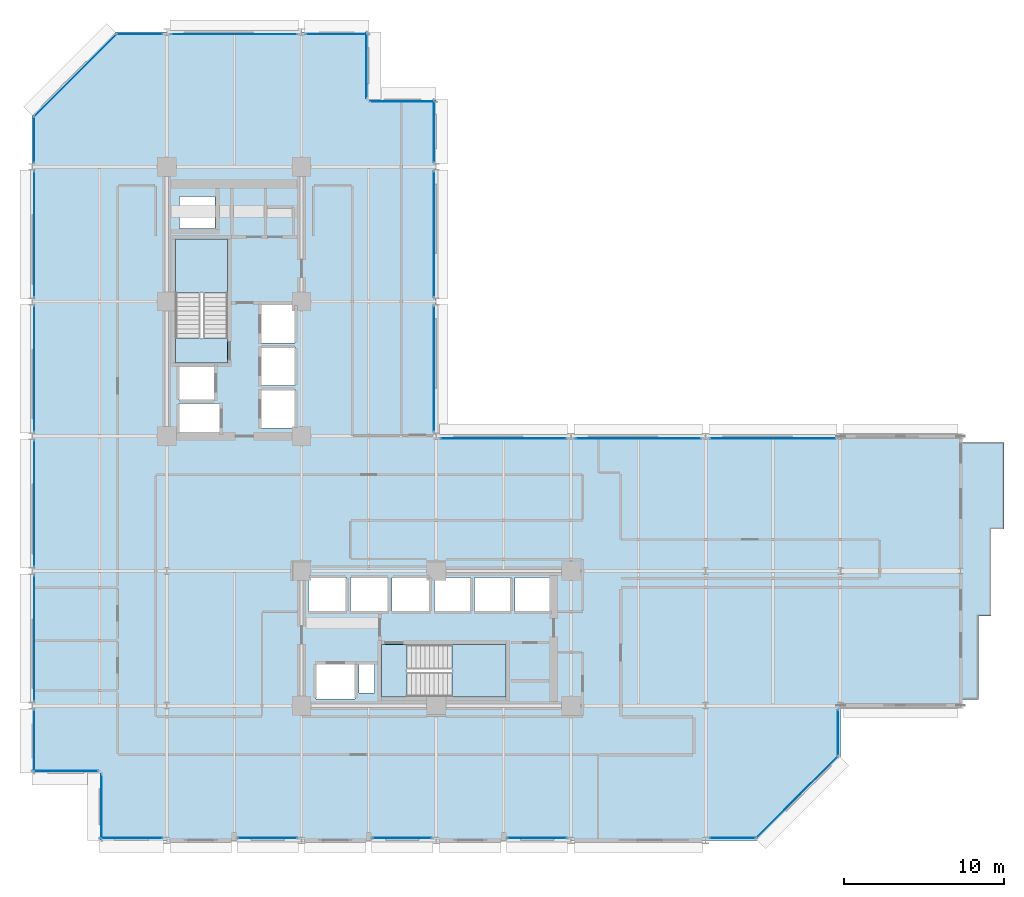
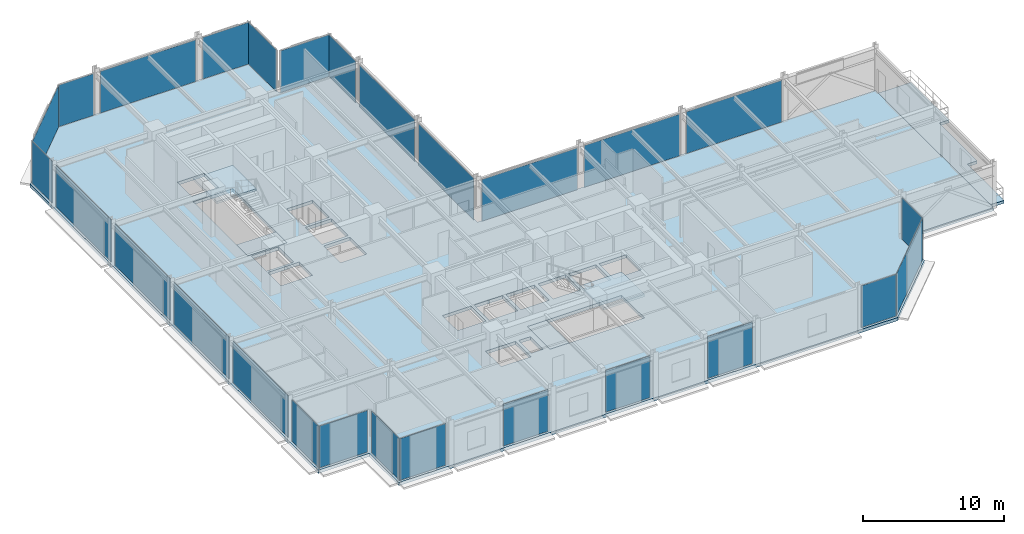
# One storey, part 31 of 40: 27 plates, 6 slabs, 29 elements without a shape of their own.
"""IFC4 building model written with IfcOpenShell, lengths in metres."""

from ifc_helpers import new_model, si_unit, direction, frame, origin, origin_2d, place, context, subcontext, project, spatial, polyline, rectangle, outline, extrude, material, layer, layer_set, type_object, element, aggregate, save


model = new_model("IFC4")

# Units and contexts
model_context = context("Model", 3, precision=1e-05, world=origin(), true_north=direction((0.0, 1.0)))
body_context = subcontext(model_context, "Body", "Model", "MODEL_VIEW")
ifc_project = project(units=[si_unit("LENGTHUNIT", "METRE"), si_unit("AREAUNIT", "SQUARE_METRE"), si_unit("VOLUMEUNIT", "CUBIC_METRE"), si_unit("PLANEANGLEUNIT", "RADIAN"), si_unit("MASSUNIT", "GRAM", prefix="KILO")], contexts=[model_context])

# Site, building, storey
site_placement = place(None, origin())
site = spatial("IfcSite", under=ifc_project, at=site_placement, CompositionType="ELEMENT")
building_placement = place(site_placement, origin())
building = spatial("IfcBuilding", under=site, at=building_placement, Name="Nerrivon Quay Data Exchange", CompositionType="ELEMENT")
storey_placement = place(building_placement, frame((0.0, 0.0, 109.0)))
storey = spatial("IfcBuildingStorey", under=building, at=storey_placement, Name="L25", CompositionType="ELEMENT", Elevation=109.0)

# Curtain wall, plate
ifc_material_1 = material(Name="Anodised aluminium 6063-T6", Category="aluminium")
ifc_layer_1 = layer(ifc_material_1, 0.2099609375)
ifc_layer_set_1 = layer_set([ifc_layer_1], Name="Anodised aluminium 6063-T6")
curtain_wall_type = type_object("IfcCurtainWallType", Name="CW-SYS-02", PredefinedType="NOTDEFINED", material=ifc_layer_set_1)
curtain_wall_1_placement = place(storey_placement, origin())
curtain_wall_1 = element("IfcCurtainWall", 1, at=curtain_wall_1_placement, inside=storey, type_object=curtain_wall_type, Name="L25 Unitised Curtain Wall 4", PredefinedType="NOTDEFINED")
ifc_material_2 = material(Name="Double-glazed low-E solar control glass", Category="glass")
ifc_layer_2 = layer(ifc_material_2, 0.028076171875)
ifc_layer_set_2 = layer_set([ifc_layer_2], Name="Double-glazed low-E solar control glass")
plate_type = type_object("IfcPlateType", Name="CWP-GLZ-28", PredefinedType="CURTAIN_PANEL", material=ifc_layer_set_2)
plate_1_placement = place(storey_placement, frame((50.260009765625, 6.699951171875, 0.06494140625), z_axis=(0.0, 0.0, 1.0), x_axis=(0.0, -1.0, 0.0)))
plate_1 = element("IfcPlate", 2, at=plate_1_placement, type_object=plate_type, Name="CW02 panel 1.1", PredefinedType="CURTAIN_PANEL", context=body_context, shape_type="SweptSolid", body=[
    extrude(rectangle(XDim=2.85009765625, YDim=0.028076171875, at=origin_2d()), origin(), (0.0, 0.0, 1.0), 3.6201171875),
])
aggregate(curtain_wall_1, [plate_1])

curtain_wall_2_placement = place(storey_placement, origin())
curtain_wall_2 = element("IfcCurtainWall", 3, at=curtain_wall_2_placement, inside=storey, type_object=curtain_wall_type, Name="L25 Unitised Curtain Wall 5", PredefinedType="NOTDEFINED")
plate_2_placement = place(storey_placement, frame((47.700927734375, 2.698974609375, 0.06494140625), z_axis=(0.0, 0.0, 1.0), x_axis=(-0.707106781187, -0.707106781187, 0.0)))
plate_2 = element("IfcPlate", 4, at=plate_2_placement, type_object=plate_type, Name="CW02 panel 1.1", PredefinedType="CURTAIN_PANEL", context=body_context, shape_type="SweptSolid", body=[
    extrude(rectangle(XDim=7.203857421875, YDim=0.028076171875, at=origin_2d()), origin(), (0.0, 0.0, 1.0), 3.6201171875),
])
aggregate(curtain_wall_2, [plate_2])

curtain_wall_3_placement = place(storey_placement, origin())
curtain_wall_3 = element("IfcCurtainWall", 5, at=curtain_wall_3_placement, inside=storey, type_object=curtain_wall_type, Name="L25 Unitised Curtain Wall 6", PredefinedType="NOTDEFINED")
plate_3_placement = place(storey_placement, frame((43.699951171875, 0.139892578125, 0.06494140625), z_axis=(0.0, 0.0, 1.0), x_axis=(-1.0, 0.0, 0.0)))
plate_3 = element("IfcPlate", 6, at=plate_3_placement, type_object=plate_type, Name="CW02 panel 1.1", PredefinedType="CURTAIN_PANEL", context=body_context, shape_type="SweptSolid", body=[
    extrude(rectangle(XDim=2.85009765625, YDim=0.028076171875, at=origin_2d()), origin(), (0.0, 0.0, 1.0), 3.6201171875),
])
aggregate(curtain_wall_3, [plate_3])

curtain_wall_4_placement = place(storey_placement, origin())
curtain_wall_4 = element("IfcCurtainWall", 7, at=curtain_wall_4_placement, inside=storey, type_object=curtain_wall_type, Name="L25 Unitised Curtain Wall 8", PredefinedType="NOTDEFINED")
plate_4_placement = place(storey_placement, frame((31.487548828125, 0.139892578125, 0.06494140625), z_axis=(0.0, 0.0, 1.0), x_axis=(-1.0, 0.0, 0.0)))
plate_4 = element("IfcPlate", 8, at=plate_4_placement, type_object=plate_type, Name="CW02 panel 1.1", PredefinedType="CURTAIN_PANEL", context=body_context, shape_type="SweptSolid", body=[
    extrude(rectangle(XDim=3.675048828125, YDim=0.028076171875, at=origin_2d()), origin(), (0.0, 0.0, 1.0), 3.6201171875),
])
aggregate(curtain_wall_4, [plate_4])

curtain_wall_5_placement = place(storey_placement, origin())
curtain_wall_5 = element("IfcCurtainWall", 9, at=curtain_wall_5_placement, inside=storey, type_object=curtain_wall_type, Name="L25 Unitised Curtain Wall 10", PredefinedType="NOTDEFINED")
plate_5_placement = place(storey_placement, frame((23.08740234375, 0.139892578125, 0.06494140625), z_axis=(0.0, 0.0, 1.0), x_axis=(-1.0, 0.0, 0.0)))
plate_5 = element("IfcPlate", 10, at=plate_5_placement, type_object=plate_type, Name="CW02 panel 1.1", PredefinedType="CURTAIN_PANEL", context=body_context, shape_type="SweptSolid", body=[
    extrude(rectangle(XDim=3.675048828125, YDim=0.028076171875, at=origin_2d()), origin(), (0.0, 0.0, 1.0), 3.6201171875),
])
aggregate(curtain_wall_5, [plate_5])

curtain_wall_6_placement = place(storey_placement, origin())
curtain_wall_6 = element("IfcCurtainWall", 11, at=curtain_wall_6_placement, inside=storey, type_object=curtain_wall_type, Name="L25 Unitised Curtain Wall 12", PredefinedType="NOTDEFINED")
plate_6_placement = place(storey_placement, frame((14.6875, 0.139892578125, 0.06494140625), z_axis=(0.0, 0.0, 1.0), x_axis=(-1.0, 0.0, 0.0)))
plate_6 = element("IfcPlate", 12, at=plate_6_placement, type_object=plate_type, Name="CW02 panel 1.1", PredefinedType="CURTAIN_PANEL", context=body_context, shape_type="SweptSolid", body=[
    extrude(rectangle(XDim=3.675048828125, YDim=0.028076171875, at=origin_2d()), origin(), (0.0, 0.0, 1.0), 3.6201171875),
])
aggregate(curtain_wall_6, [plate_6])

curtain_wall_7_placement = place(storey_placement, origin())
curtain_wall_7 = element("IfcCurtainWall", 13, at=curtain_wall_7_placement, inside=storey, type_object=curtain_wall_type, Name="L25 Unitised Curtain Wall 14", PredefinedType="NOTDEFINED")
plate_7_placement = place(storey_placement, frame((6.199951171875, 0.139892578125, 0.06494140625), z_axis=(0.0, 0.0, 1.0), x_axis=(-1.0, 0.0, 0.0)))
plate_7 = element("IfcPlate", 14, at=plate_7_placement, type_object=plate_type, Name="CW02 panel 1.1", PredefinedType="CURTAIN_PANEL", context=body_context, shape_type="SweptSolid", body=[
    extrude(rectangle(XDim=3.85009765625, YDim=0.028076171875, at=origin_2d()), origin(), (0.0, 0.0, 1.0), 3.6201171875),
])
aggregate(curtain_wall_7, [plate_7])

curtain_wall_8_placement = place(storey_placement, origin())
curtain_wall_8 = element("IfcCurtainWall", 15, at=curtain_wall_8_placement, inside=storey, type_object=curtain_wall_type, Name="L25 Unitised Curtain Wall 15", PredefinedType="NOTDEFINED")
plate_8_placement = place(storey_placement, frame((4.340087890625, 2.10009765625, 0.06494140625), z_axis=(0.0, 0.0, 1.0), x_axis=(0.0, 1.0, 0.0)))
plate_8 = element("IfcPlate", 16, at=plate_8_placement, type_object=plate_type, Name="CW02 panel 1.1", PredefinedType="CURTAIN_PANEL", context=body_context, shape_type="SweptSolid", body=[
    extrude(rectangle(XDim=4.050048828125, YDim=0.028076171875, at=origin_2d()), origin(), (0.0, 0.0, 1.0), 3.6201171875),
])
aggregate(curtain_wall_8, [plate_8])

curtain_wall_9_placement = place(storey_placement, origin())
curtain_wall_9 = element("IfcCurtainWall", 17, at=curtain_wall_9_placement, inside=storey, type_object=curtain_wall_type, Name="L25 Unitised Curtain Wall 16", PredefinedType="NOTDEFINED")
plate_9_placement = place(storey_placement, frame((2.10009765625, 4.340087890625, 0.06494140625), z_axis=(0.0, 0.0, 1.0), x_axis=(-1.0, 0.0, 0.0)))
plate_9 = element("IfcPlate", 18, at=plate_9_placement, type_object=plate_type, Name="CW02 panel 1.1", PredefinedType="CURTAIN_PANEL", context=body_context, shape_type="SweptSolid", body=[
    extrude(rectangle(XDim=4.050048828125, YDim=0.028076171875, at=origin_2d()), origin(), (0.0, 0.0, 1.0), 3.6201171875),
])
aggregate(curtain_wall_9, [plate_9])

curtain_wall_10_placement = place(storey_placement, origin())
curtain_wall_10 = element("IfcCurtainWall", 19, at=curtain_wall_10_placement, inside=storey, type_object=curtain_wall_type, Name="L25 Unitised Curtain Wall 17", PredefinedType="NOTDEFINED")
plate_10_placement = place(storey_placement, frame((0.139892578125, 6.199951171875, 0.06494140625), z_axis=(0.0, 0.0, 1.0), x_axis=(0.0, 1.0, 0.0)))
plate_10 = element("IfcPlate", 20, at=plate_10_placement, type_object=plate_type, Name="CW02 panel 1.1", PredefinedType="CURTAIN_PANEL", context=body_context, shape_type="SweptSolid", body=[
    extrude(rectangle(XDim=3.85009765625, YDim=0.028076171875, at=origin_2d()), origin(), (0.0, 0.0, 1.0), 3.6201171875),
])
aggregate(curtain_wall_10, [plate_10])

curtain_wall_11_placement = place(storey_placement, origin())
curtain_wall_11 = element("IfcCurtainWall", 21, at=curtain_wall_11_placement, inside=storey, type_object=curtain_wall_type, Name="L25 Unitised Curtain Wall 18", PredefinedType="NOTDEFINED")
plate_11_placement = place(storey_placement, frame((0.139892578125, 12.60009765625, 0.06494140625), z_axis=(0.0, 0.0, 1.0), x_axis=(0.0, 1.0, 0.0)))
plate_11 = element("IfcPlate", 22, at=plate_11_placement, type_object=plate_type, Name="CW02 panel 1.1", PredefinedType="CURTAIN_PANEL", context=body_context, shape_type="SweptSolid", body=[
    extrude(rectangle(XDim=7.85009765625, YDim=0.028076171875, at=origin_2d()), origin(), (0.0, 0.0, 1.0), 3.6201171875),
])
aggregate(curtain_wall_11, [plate_11])

curtain_wall_12_placement = place(storey_placement, origin())
curtain_wall_12 = element("IfcCurtainWall", 23, at=curtain_wall_12_placement, inside=storey, type_object=curtain_wall_type, Name="L25 Unitised Curtain Wall 19", PredefinedType="NOTDEFINED")
plate_12_placement = place(storey_placement, frame((0.139892578125, 21.0, 0.06494140625), z_axis=(0.0, 0.0, 1.0), x_axis=(0.0, 1.0, 0.0)))
plate_12 = element("IfcPlate", 24, at=plate_12_placement, type_object=plate_type, Name="CW02 panel 1.1", PredefinedType="CURTAIN_PANEL", context=body_context, shape_type="SweptSolid", body=[
    extrude(rectangle(XDim=7.85009765625, YDim=0.028076171875, at=origin_2d()), origin(), (0.0, 0.0, 1.0), 3.6201171875),
])
aggregate(curtain_wall_12, [plate_12])

curtain_wall_13_placement = place(storey_placement, origin())
curtain_wall_13 = element("IfcCurtainWall", 25, at=curtain_wall_13_placement, inside=storey, type_object=curtain_wall_type, Name="L25 Unitised Curtain Wall 20", PredefinedType="NOTDEFINED")
plate_13_placement = place(storey_placement, frame((0.139892578125, 29.39990234375, 0.06494140625), z_axis=(0.0, 0.0, 1.0), x_axis=(0.0, 1.0, 0.0)))
plate_13 = element("IfcPlate", 26, at=plate_13_placement, type_object=plate_type, Name="CW02 panel 1.1", PredefinedType="CURTAIN_PANEL", context=body_context, shape_type="SweptSolid", body=[
    extrude(rectangle(XDim=7.85009765625, YDim=0.028076171875, at=origin_2d()), origin(), (0.0, 0.0, 1.0), 3.6201171875),
])
aggregate(curtain_wall_13, [plate_13])

curtain_wall_14_placement = place(storey_placement, origin())
curtain_wall_14 = element("IfcCurtainWall", 27, at=curtain_wall_14_placement, inside=storey, type_object=curtain_wall_type, Name="L25 Unitised Curtain Wall 21", PredefinedType="NOTDEFINED")
plate_14_placement = place(storey_placement, frame((0.139892578125, 37.800048828125, 0.06494140625), z_axis=(0.0, 0.0, 1.0), x_axis=(0.0, 1.0, 0.0)))
plate_14 = element("IfcPlate", 28, at=plate_14_placement, type_object=plate_type, Name="CW02 panel 1.1", PredefinedType="CURTAIN_PANEL", context=body_context, shape_type="SweptSolid", body=[
    extrude(rectangle(XDim=7.85009765625, YDim=0.028076171875, at=origin_2d()), origin(), (0.0, 0.0, 1.0), 3.6201171875),
])
aggregate(curtain_wall_14, [plate_14])

curtain_wall_15_placement = place(storey_placement, origin())
curtain_wall_15 = element("IfcCurtainWall", 29, at=curtain_wall_15_placement, inside=storey, type_object=curtain_wall_type, Name="L25 Unitised Curtain Wall 22", PredefinedType="NOTDEFINED")
plate_15_placement = place(storey_placement, frame((0.139892578125, 43.699951171875, 0.06494140625), z_axis=(0.0, 0.0, 1.0), x_axis=(0.0, 1.0, 0.0)))
plate_15 = element("IfcPlate", 30, at=plate_15_placement, type_object=plate_type, Name="CW02 panel 1.1", PredefinedType="CURTAIN_PANEL", context=body_context, shape_type="SweptSolid", body=[
    extrude(rectangle(XDim=2.85009765625, YDim=0.028076171875, at=origin_2d()), origin(), (0.0, 0.0, 1.0), 3.6201171875),
])
aggregate(curtain_wall_15, [plate_15])

curtain_wall_16_placement = place(storey_placement, origin())
curtain_wall_16 = element("IfcCurtainWall", 31, at=curtain_wall_16_placement, inside=storey, type_object=curtain_wall_type, Name="L25 Unitised Curtain Wall 23", PredefinedType="NOTDEFINED")
plate_16_placement = place(storey_placement, frame((2.698974609375, 47.700927734375, 0.06494140625), z_axis=(0.0, 0.0, 1.0), x_axis=(0.707106781187, 0.707106781187, 0.0)))
plate_16 = element("IfcPlate", 32, at=plate_16_placement, type_object=plate_type, Name="CW02 panel 1.1", PredefinedType="CURTAIN_PANEL", context=body_context, shape_type="SweptSolid", body=[
    extrude(rectangle(XDim=7.203857421875, YDim=0.028076171875, at=origin_2d()), origin(), (0.0, 0.0, 1.0), 3.6201171875),
])
aggregate(curtain_wall_16, [plate_16])

curtain_wall_17_placement = place(storey_placement, origin())
curtain_wall_17 = element("IfcCurtainWall", 33, at=curtain_wall_17_placement, inside=storey, type_object=curtain_wall_type, Name="L25 Unitised Curtain Wall 24", PredefinedType="NOTDEFINED")
plate_17_placement = place(storey_placement, frame((6.699951171875, 50.260009765625, 0.06494140625), z_axis=(0.0, 0.0, 1.0), x_axis=(1.0, 0.0, 0.0)))
plate_17 = element("IfcPlate", 34, at=plate_17_placement, type_object=plate_type, Name="CW02 panel 1.1", PredefinedType="CURTAIN_PANEL", context=body_context, shape_type="SweptSolid", body=[
    extrude(rectangle(XDim=2.85009765625, YDim=0.028076171875, at=origin_2d()), origin(), (0.0, 0.0, 1.0), 3.6201171875),
])
aggregate(curtain_wall_17, [plate_17])

curtain_wall_18_placement = place(storey_placement, origin())
curtain_wall_18 = element("IfcCurtainWall", 35, at=curtain_wall_18_placement, inside=storey, type_object=curtain_wall_type, Name="L25 Unitised Curtain Wall 25", PredefinedType="NOTDEFINED")
plate_18_placement = place(storey_placement, frame((12.60009765625, 50.260009765625, 0.06494140625), z_axis=(0.0, 0.0, 1.0), x_axis=(1.0, 0.0, 0.0)))
plate_18 = element("IfcPlate", 36, at=plate_18_placement, type_object=plate_type, Name="CW02 panel 1.1", PredefinedType="CURTAIN_PANEL", context=body_context, shape_type="SweptSolid", body=[
    extrude(rectangle(XDim=7.85009765625, YDim=0.028076171875, at=origin_2d()), origin(), (0.0, 0.0, 1.0), 3.6201171875),
])
aggregate(curtain_wall_18, [plate_18])

curtain_wall_19_placement = place(storey_placement, origin())
curtain_wall_19 = element("IfcCurtainWall", 37, at=curtain_wall_19_placement, inside=storey, type_object=curtain_wall_type, Name="L25 Unitised Curtain Wall 26", PredefinedType="NOTDEFINED")
plate_19_placement = place(storey_placement, frame((19.0, 50.260009765625, 0.06494140625), z_axis=(0.0, 0.0, 1.0), x_axis=(1.0, 0.0, 0.0)))
plate_19 = element("IfcPlate", 38, at=plate_19_placement, type_object=plate_type, Name="CW02 panel 1.1", PredefinedType="CURTAIN_PANEL", context=body_context, shape_type="SweptSolid", body=[
    extrude(rectangle(XDim=3.85009765625, YDim=0.028076171875, at=origin_2d()), origin(), (0.0, 0.0, 1.0), 3.6201171875),
])
aggregate(curtain_wall_19, [plate_19])

curtain_wall_20_placement = place(storey_placement, origin())
curtain_wall_20 = element("IfcCurtainWall", 39, at=curtain_wall_20_placement, inside=storey, type_object=curtain_wall_type, Name="L25 Unitised Curtain Wall 27", PredefinedType="NOTDEFINED")
plate_20_placement = place(storey_placement, frame((20.860107421875, 48.300048828125, 0.06494140625), z_axis=(0.0, 0.0, 1.0), x_axis=(0.0, -1.0, 0.0)))
plate_20 = element("IfcPlate", 40, at=plate_20_placement, type_object=plate_type, Name="CW02 panel 1.1", PredefinedType="CURTAIN_PANEL", context=body_context, shape_type="SweptSolid", body=[
    extrude(rectangle(XDim=4.050048828125, YDim=0.028076171875, at=origin_2d()), origin(), (0.0, 0.0, 1.0), 3.6201171875),
])
aggregate(curtain_wall_20, [plate_20])

curtain_wall_21_placement = place(storey_placement, origin())
curtain_wall_21 = element("IfcCurtainWall", 41, at=curtain_wall_21_placement, inside=storey, type_object=curtain_wall_type, Name="L25 Unitised Curtain Wall 28", PredefinedType="NOTDEFINED")
plate_21_placement = place(storey_placement, frame((23.10009765625, 46.06005859375, 0.06494140625), z_axis=(0.0, 0.0, 1.0), x_axis=(1.0, 0.0, 0.0)))
plate_21 = element("IfcPlate", 42, at=plate_21_placement, type_object=plate_type, Name="CW02 panel 1.1", PredefinedType="CURTAIN_PANEL", context=body_context, shape_type="SweptSolid", body=[
    extrude(rectangle(XDim=4.050048828125, YDim=0.028076171875, at=origin_2d()), origin(), (0.0, 0.0, 1.0), 3.6201171875),
])
aggregate(curtain_wall_21, [plate_21])

curtain_wall_22_placement = place(storey_placement, origin())
curtain_wall_22 = element("IfcCurtainWall", 43, at=curtain_wall_22_placement, inside=storey, type_object=curtain_wall_type, Name="L25 Unitised Curtain Wall 29", PredefinedType="NOTDEFINED")
plate_22_placement = place(storey_placement, frame((25.06005859375, 44.199951171875, 0.06494140625), z_axis=(0.0, 0.0, 1.0), x_axis=(0.0, -1.0, 0.0)))
plate_22 = element("IfcPlate", 44, at=plate_22_placement, type_object=plate_type, Name="CW02 panel 1.1", PredefinedType="CURTAIN_PANEL", context=body_context, shape_type="SweptSolid", body=[
    extrude(rectangle(XDim=3.85009765625, YDim=0.028076171875, at=origin_2d()), origin(), (0.0, 0.0, 1.0), 3.6201171875),
])
aggregate(curtain_wall_22, [plate_22])

curtain_wall_23_placement = place(storey_placement, origin())
curtain_wall_23 = element("IfcCurtainWall", 45, at=curtain_wall_23_placement, inside=storey, type_object=curtain_wall_type, Name="L25 Unitised Curtain Wall 30", PredefinedType="NOTDEFINED")
plate_23_placement = place(storey_placement, frame((25.06005859375, 37.800048828125, 0.06494140625), z_axis=(0.0, 0.0, 1.0), x_axis=(0.0, -1.0, 0.0)))
plate_23 = element("IfcPlate", 46, at=plate_23_placement, type_object=plate_type, Name="CW02 panel 1.1", PredefinedType="CURTAIN_PANEL", context=body_context, shape_type="SweptSolid", body=[
    extrude(rectangle(XDim=7.85009765625, YDim=0.028076171875, at=origin_2d()), origin(), (0.0, 0.0, 1.0), 3.6201171875),
])
aggregate(curtain_wall_23, [plate_23])

curtain_wall_24_placement = place(storey_placement, origin())
curtain_wall_24 = element("IfcCurtainWall", 47, at=curtain_wall_24_placement, inside=storey, type_object=curtain_wall_type, Name="L25 Unitised Curtain Wall 31", PredefinedType="NOTDEFINED")
plate_24_placement = place(storey_placement, frame((25.06005859375, 29.39990234375, 0.06494140625), z_axis=(0.0, 0.0, 1.0), x_axis=(0.0, -1.0, 0.0)))
plate_24 = element("IfcPlate", 48, at=plate_24_placement, type_object=plate_type, Name="CW02 panel 1.1", PredefinedType="CURTAIN_PANEL", context=body_context, shape_type="SweptSolid", body=[
    extrude(rectangle(XDim=7.85009765625, YDim=0.028076171875, at=origin_2d()), origin(), (0.0, 0.0, 1.0), 3.6201171875),
])
aggregate(curtain_wall_24, [plate_24])

curtain_wall_25_placement = place(storey_placement, origin())
curtain_wall_25 = element("IfcCurtainWall", 49, at=curtain_wall_25_placement, inside=storey, type_object=curtain_wall_type, Name="L25 Unitised Curtain Wall 32", PredefinedType="NOTDEFINED")
plate_25_placement = place(storey_placement, frame((29.39990234375, 25.06005859375, 0.06494140625), z_axis=(0.0, 0.0, 1.0), x_axis=(1.0, 0.0, 0.0)))
plate_25 = element("IfcPlate", 50, at=plate_25_placement, type_object=plate_type, Name="CW02 panel 1.1", PredefinedType="CURTAIN_PANEL", context=body_context, shape_type="SweptSolid", body=[
    extrude(rectangle(XDim=7.85009765625, YDim=0.028076171875, at=origin_2d()), origin(), (0.0, 0.0, 1.0), 3.6201171875),
])
aggregate(curtain_wall_25, [plate_25])

curtain_wall_26_placement = place(storey_placement, origin())
curtain_wall_26 = element("IfcCurtainWall", 51, at=curtain_wall_26_placement, inside=storey, type_object=curtain_wall_type, Name="L25 Unitised Curtain Wall 33", PredefinedType="NOTDEFINED")
plate_26_placement = place(storey_placement, frame((37.800048828125, 25.06005859375, 0.06494140625), z_axis=(0.0, 0.0, 1.0), x_axis=(1.0, 0.0, 0.0)))
plate_26 = element("IfcPlate", 52, at=plate_26_placement, type_object=plate_type, Name="CW02 panel 1.1", PredefinedType="CURTAIN_PANEL", context=body_context, shape_type="SweptSolid", body=[
    extrude(rectangle(XDim=7.85009765625, YDim=0.028076171875, at=origin_2d()), origin(), (0.0, 0.0, 1.0), 3.6201171875),
])
aggregate(curtain_wall_26, [plate_26])

curtain_wall_27_placement = place(storey_placement, origin())
curtain_wall_27 = element("IfcCurtainWall", 53, at=curtain_wall_27_placement, inside=storey, type_object=curtain_wall_type, Name="L25 Unitised Curtain Wall 34", PredefinedType="NOTDEFINED")
plate_27_placement = place(storey_placement, frame((46.199951171875, 25.06005859375, 0.06494140625), z_axis=(0.0, 0.0, 1.0), x_axis=(1.0, 0.0, 0.0)))
plate_27 = element("IfcPlate", 54, at=plate_27_placement, type_object=plate_type, Name="CW02 panel 1.1", PredefinedType="CURTAIN_PANEL", context=body_context, shape_type="SweptSolid", body=[
    extrude(rectangle(XDim=7.85009765625, YDim=0.028076171875, at=origin_2d()), origin(), (0.0, 0.0, 1.0), 3.6201171875),
])
aggregate(curtain_wall_27, [plate_27])

# Slab
ifc_material_3 = material(Name="Precast white architectural concrete N50 (50 MPa)", Category="concrete")
ifc_layer_3 = layer(ifc_material_3, 0.25)
ifc_layer_set_3 = layer_set([ifc_layer_3], Name="Precast white architectural concrete N50 (50 MPa)")
slab_type_1 = type_object("IfcSlabType", Name="SLB-BAL-250", PredefinedType="FLOOR", material=ifc_layer_set_3)
slab_1_placement = place(storey_placement, frame((0.0, 0.0, -0.25)))
element("IfcSlab", 55, at=slab_1_placement, inside=storey, type_object=slab_type_1, Name="L25 East Hooked Drifting Verandah", PredefinedType="FLOOR", context=body_context, shape_type="SweptSolid", body=[
    extrude(outline(polyline([(59.0, 14.0), (59.800048828125, 14.0), (59.800048828125, 19.39990234375), (60.60009765625, 19.39990234375), (60.60009765625, 24.800048828125), (57.89990234375, 24.800048828125), (57.89990234375, 19.39990234375), (57.89990234375, 14.0), (57.89990234375, 8.800048828125), (59.0, 8.800048828125), (59.0, 14.0)])), origin(), (0.0, 0.0, 1.0), 0.25),
])

# Stair, slab
ifc_material_4 = material(Name="Concrete N50 (50 MPa)", Category="concrete")
stair_type = type_object("IfcStairType", Name="STAIR-DOG-41", PredefinedType="HALF_TURN_STAIR", material=ifc_material_4)
stair_1_placement = place(storey_placement, origin())
stair_1 = element("IfcStair", 56, at=stair_1_placement, inside=storey, type_object=stair_type, Name="L25 West Core Fire Stair ST01", PredefinedType="HALF_TURN_STAIR")
ifc_layer_4 = layer(ifc_material_4, 0.199951171875)
ifc_layer_set_4 = layer_set([ifc_layer_4], Name="Concrete N50 (50 MPa)")
slab_type_2 = type_object("IfcSlabType", Name="SLB-LAND-200", PredefinedType="LANDING", material=ifc_layer_set_4)
slab_2_placement = place(storey_placement, frame((0.0, 0.0, 1.85009765625)))
slab_2 = element("IfcSlab", 57, at=slab_2_placement, type_object=slab_type_2, Name="ST01 landing 1", PredefinedType="LANDING", context=body_context, shape_type="SweptSolid", body=[
    extrude(outline(polyline([(12.199951171875, 34.1298828125), (12.199951171875, 37.5), (8.949951171875, 37.5), (8.949951171875, 34.1298828125), (12.199951171875, 34.1298828125)])), origin(), (0.0, 0.0, 1.0), 0.199951171875),
])
aggregate(stair_1, [slab_2])

# Slab
slab_3_placement = place(storey_placement, frame((0.0, 0.0, -0.199951171875)))
element("IfcSlab", 58, at=slab_3_placement, inside=storey, type_object=slab_type_2, Name="L25 ST01 floor landing", PredefinedType="LANDING", context=body_context, shape_type="SweptSolid", body=[
    extrude(outline(polyline([(12.199951171875, 29.75), (12.199951171875, 31.330078125), (8.949951171875, 31.330078125), (8.949951171875, 29.75), (12.199951171875, 29.75)])), origin(), (0.0, 0.0, 1.0), 0.199951171875),
])

# Stair, slab
stair_2_placement = place(storey_placement, origin())
stair_2 = element("IfcStair", 59, at=stair_2_placement, inside=storey, type_object=stair_type, Name="L25 East Core Fire Stair ST02", PredefinedType="HALF_TURN_STAIR")
slab_4_placement = place(storey_placement, frame((0.0, 0.0, 1.85009765625)))
slab_4 = element("IfcSlab", 60, at=slab_4_placement, type_object=slab_type_2, Name="ST02 landing 1", PredefinedType="LANDING", context=body_context, shape_type="SweptSolid", body=[
    extrude(outline(polyline([(26.179931640625, 8.949951171875), (29.550048828125, 8.949951171875), (29.550048828125, 12.199951171875), (26.179931640625, 12.199951171875), (26.179931640625, 8.949951171875)])), origin(), (0.0, 0.0, 1.0), 0.199951171875),
])
aggregate(stair_2, [slab_4])

# Slabs
slab_5_placement = place(storey_placement, frame((0.0, 0.0, -0.199951171875)))
element("IfcSlab", 61, at=slab_5_placement, inside=storey, type_object=slab_type_2, Name="L25 ST02 floor landing", PredefinedType="LANDING", context=body_context, shape_type="SweptSolid", body=[
    extrude(outline(polyline([(21.800048828125, 8.949951171875), (23.3798828125, 8.949951171875), (23.3798828125, 12.199951171875), (21.800048828125, 12.199951171875), (21.800048828125, 8.949951171875)])), origin(), (0.0, 0.0, 1.0), 0.199951171875),
])
ifc_layer_5 = layer(ifc_material_4, 0.27490234375)
ifc_layer_set_5 = layer_set([ifc_layer_5], Name="Concrete N50 (50 MPa)")
slab_type_3 = type_object("IfcSlabType", Name="SLB-TOW-275", PredefinedType="FLOOR", material=ifc_layer_set_5)
slab_6_placement = place(storey_placement, frame((0.0, 0.0, -0.27490234375)))
element("IfcSlab", 62, at=slab_6_placement, inside=storey, type_object=slab_type_3, Name="L25 Primary Structural Slab", PredefinedType="FLOOR", context=body_context, shape_type="SweptSolid", body=[
    extrude(outline(polyline([(25.199951171875, 25.199951171875), (25.199951171875, 46.199951171875), (21.0, 46.199951171875), (21.0, 50.39990234375), (5.199951171875, 50.39990234375), (0.0, 45.199951171875), (0.0, 4.199951171875), (4.199951171875, 4.199951171875), (4.199951171875, 0.0), (45.199951171875, 0.0), (50.39990234375, 5.199951171875), (50.39990234375, 8.39990234375), (57.89990234375, 8.39990234375), (57.89990234375, 25.199951171875), (25.199951171875, 25.199951171875)]), holes=[polyline([(8.949951171875, 29.75), (8.949951171875, 37.5), (12.199951171875, 37.5), (12.199951171875, 29.75), (8.949951171875, 29.75)]), polyline([(21.800048828125, 12.199951171875), (29.550048828125, 12.199951171875), (29.550048828125, 8.949951171875), (21.800048828125, 8.949951171875), (21.800048828125, 12.199951171875)]), polyline([(30.10009765625, 16.39990234375), (32.35009765625, 16.39990234375), (32.35009765625, 14.25), (30.10009765625, 14.25), (30.10009765625, 16.39990234375)]), polyline([(27.60009765625, 16.39990234375), (29.85009765625, 16.39990234375), (29.85009765625, 14.25), (27.60009765625, 14.25), (27.60009765625, 16.39990234375)]), polyline([(25.10009765625, 16.39990234375), (27.35009765625, 16.39990234375), (27.35009765625, 14.25), (25.10009765625, 14.25), (25.10009765625, 16.39990234375)]), polyline([(22.449951171875, 16.39990234375), (24.800048828125, 16.39990234375), (24.800048828125, 14.25), (22.449951171875, 14.25), (22.449951171875, 16.39990234375)]), polyline([(19.85009765625, 16.39990234375), (22.199951171875, 16.39990234375), (22.199951171875, 14.25), (19.85009765625, 14.25), (19.85009765625, 16.39990234375)]), polyline([(20.39990234375, 11.0), (21.35009765625, 11.0), (21.35009765625, 9.199951171875), (20.39990234375, 9.199951171875), (20.39990234375, 11.0)]), polyline([(17.699951171875, 8.830078125), (17.699951171875, 11.030029296875), (20.14990234375, 11.030029296875), (20.14990234375, 8.830078125), (17.699951171875, 8.830078125)]), polyline([(17.25, 14.25), (17.25, 16.39990234375), (19.60009765625, 16.39990234375), (19.60009765625, 14.25), (17.25, 14.25)]), polyline([(14.25, 28.10009765625), (16.39990234375, 28.10009765625), (16.39990234375, 25.699951171875), (14.25, 25.699951171875), (14.25, 28.10009765625)]), polyline([(14.25, 30.75), (16.39990234375, 30.75), (16.39990234375, 28.35009765625), (14.25, 28.35009765625), (14.25, 30.75)]), polyline([(14.25, 33.39990234375), (16.39990234375, 33.39990234375), (16.39990234375, 31.0), (14.25, 31.0), (14.25, 33.39990234375)]), polyline([(9.14990234375, 27.25), (11.75, 27.25), (11.75, 25.35009765625), (9.14990234375, 25.35009765625), (9.14990234375, 27.25)]), polyline([(9.14990234375, 29.60009765625), (11.39990234375, 29.60009765625), (11.39990234375, 27.449951171875), (9.14990234375, 27.449951171875), (9.14990234375, 29.60009765625)]), polyline([(9.199951171875, 40.14990234375), (11.39990234375, 40.14990234375), (11.39990234375, 38.14990234375), (9.199951171875, 38.14990234375), (9.199951171875, 40.14990234375)])]), origin(), (0.0, 0.0, 1.0), 0.27490234375),
])

save(model, "model.ifc")
